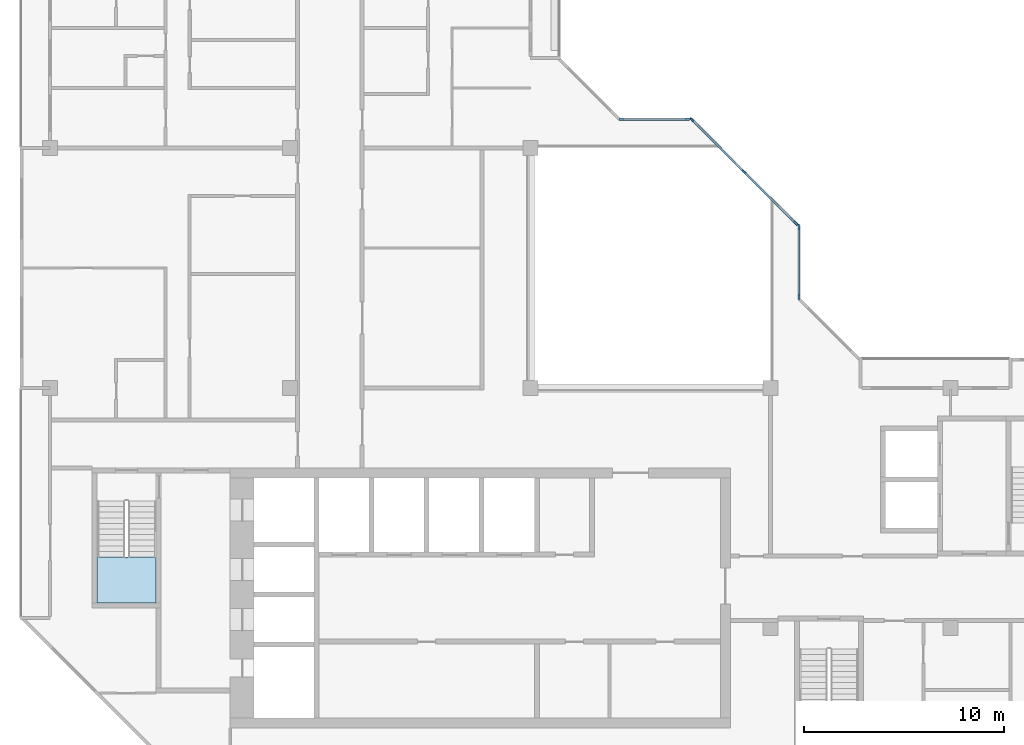
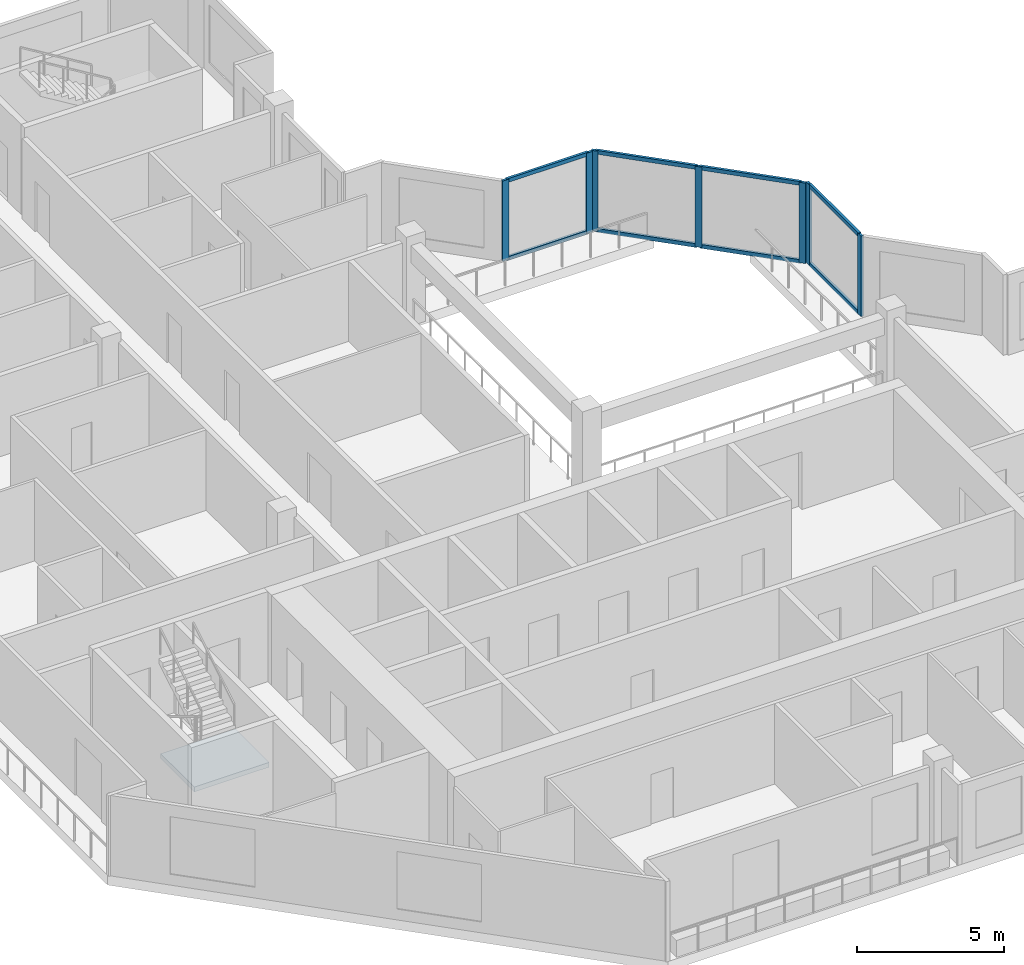
# One storey, part 2 of 12: 15 members, 1 slab, 4 elements without a shape of their own.
"""IFC4 building model written with IfcOpenShell, lengths in metres."""

from ifc_helpers import new_model, si_unit, direction, frame, origin, origin_2d, place, context, subcontext, project, spatial, polyline, rectangle, outline, extrude, material, layer, layer_set, material_profile, profile_set, type_object, element, aggregate, save


model = new_model("IFC4")

# Units and contexts
model_context = context("Model", 3, precision=1e-05, world=origin(), true_north=direction((0.0, 1.0)))
body_context = subcontext(model_context, "Body", "Model", "MODEL_VIEW")
ifc_project = project(units=[si_unit("LENGTHUNIT", "METRE"), si_unit("AREAUNIT", "SQUARE_METRE"), si_unit("VOLUMEUNIT", "CUBIC_METRE"), si_unit("PLANEANGLEUNIT", "RADIAN"), si_unit("MASSUNIT", "GRAM", prefix="KILO")], contexts=[model_context])

# Site, building, storey
site_placement = place(None, origin())
site = spatial("IfcSite", under=ifc_project, at=site_placement, CompositionType="ELEMENT")
building_placement = place(site_placement, origin())
building = spatial("IfcBuilding", under=site, at=building_placement, Name="Chenar Terraces", CompositionType="ELEMENT")
storey_placement = place(building_placement, frame((0.0, 0.0, 350.14990234375)))
storey = spatial("IfcBuildingStorey", under=building, at=storey_placement, Name="L81", CompositionType="ELEMENT", Elevation=350.14990234375)

# Curtain wall, members
ifc_material_1 = material(Name="Aluminium framed glazing", Category="aluminium")
ifc_layer_1 = layer(ifc_material_1, 0.14990234375)
ifc_layer_set_1 = layer_set([ifc_layer_1], Name="Aluminium framed glazing")
curtain_wall_type = type_object("IfcCurtainWallType", Name="Atrium upper-zone curtain wall", PredefinedType="NOTDEFINED", material=ifc_layer_set_1)
placement = place(storey_placement, origin())
curtain_wall_1 = element("IfcCurtainWall", 1, at=placement, inside=storey, type_object=curtain_wall_type, Name="Atrium upper-zone curtain wall", PredefinedType="NOTDEFINED")
ifc_material_2 = material(Name="Aluminium", Category="aluminium")
ifc_material_profile_1 = material_profile(ifc_material_2, rectangle(XDim=0.10009765625, YDim=0.239990234375, at=origin_2d()), Name="Atrium upper-zone glazing mullion 100 x 240")
ifc_profile_set_1 = profile_set([ifc_material_profile_1], Name="Aluminium")
member_type_1 = type_object("IfcMemberType", Name="Atrium upper-zone glazing mullion 100 x 240", PredefinedType="MULLION", material=ifc_profile_set_1)
member_1_placement = place(storey_placement, frame((37.425048828125, 28.550048828125, 0.0), z_axis=(0.0, 0.0, 1.0), x_axis=(-1.0, 0.0, 0.0)))
member_1 = element("IfcMember", 2, at=member_1_placement, type_object=member_type_1, Name="CW8-1 mullion 1", PredefinedType="MULLION", context=body_context, shape_type="SweptSolid", body=[
    extrude(rectangle(XDim=0.10009765625, YDim=0.239990234375, at=origin_2d()), origin(), (0.0, 0.0, 1.0), 3.35009765625),
])
member_2_placement = place(storey_placement, frame((37.425048828125, 32.050048828125, 0.0), z_axis=(0.0, 0.0, 1.0), x_axis=(-1.0, 0.0, 0.0)))
member_2 = element("IfcMember", 3, at=member_2_placement, type_object=member_type_1, Name="CW8-1 mullion 2", PredefinedType="MULLION", context=body_context, shape_type="SweptSolid", body=[
    extrude(rectangle(XDim=0.10009765625, YDim=0.239990234375, at=origin_2d()), origin(), (0.0, 0.0, 1.0), 3.35009765625),
])

curtain_wall_2 = element("IfcCurtainWall", 4, at=placement, inside=storey, type_object=curtain_wall_type, Name="Atrium upper-zone curtain wall", PredefinedType="NOTDEFINED")
member_3_placement = place(storey_placement, frame((37.270263671875, 32.2236328125, 0.0), z_axis=(0.0, 0.0, 1.0), x_axis=(-0.707106781187, -0.707106781187, 0.0)))
member_3 = element("IfcMember", 5, at=member_3_placement, type_object=member_type_1, Name="CW8-2 mullion 1", PredefinedType="MULLION", context=body_context, shape_type="SweptSolid", body=[
    extrude(rectangle(XDim=0.10009765625, YDim=0.239990234375, at=origin_2d()), origin(), (0.0, 0.0, 1.0), 3.35009765625),
])
member_4_placement = place(storey_placement, frame((34.67626953125, 34.817626953125, 0.0), z_axis=(0.0, 0.0, 1.0), x_axis=(-0.707106781187, -0.707106781187, 0.0)))
member_4 = element("IfcMember", 6, at=member_4_placement, type_object=member_type_1, Name="CW8-2 mullion 2", PredefinedType="MULLION", context=body_context, shape_type="SweptSolid", body=[
    extrude(rectangle(XDim=0.10009765625, YDim=0.239990234375, at=origin_2d()), origin(), (0.0, 0.0, 1.0), 3.35009765625),
])
member_5_placement = place(storey_placement, frame((32.082275390625, 37.41162109375, 0.0), z_axis=(0.0, 0.0, 1.0), x_axis=(-0.707106781187, -0.707106781187, 0.0)))
member_5 = element("IfcMember", 7, at=member_5_placement, type_object=member_type_1, Name="CW8-2 mullion 3", PredefinedType="MULLION", context=body_context, shape_type="SweptSolid", body=[
    extrude(rectangle(XDim=0.10009765625, YDim=0.239990234375, at=origin_2d()), origin(), (0.0, 0.0, 1.0), 3.35009765625),
])

curtain_wall_3 = element("IfcCurtainWall", 8, at=placement, inside=storey, type_object=curtain_wall_type, Name="Atrium upper-zone curtain wall", PredefinedType="NOTDEFINED")
member_6_placement = place(storey_placement, frame((31.85009765625, 37.425048828125, 0.0), z_axis=(0.0, 0.0, 1.0), x_axis=(0.0, -1.0, 0.0)))
member_6 = element("IfcMember", 9, at=member_6_placement, type_object=member_type_1, Name="CW8-3 mullion 1", PredefinedType="MULLION", context=body_context, shape_type="SweptSolid", body=[
    extrude(rectangle(XDim=0.10009765625, YDim=0.239990234375, at=origin_2d()), origin(), (0.0, 0.0, 1.0), 3.35009765625),
])
member_7_placement = place(storey_placement, frame((28.550048828125, 37.425048828125, 0.0), z_axis=(0.0, 0.0, 1.0), x_axis=(0.0, -1.0, 0.0)))
member_7 = element("IfcMember", 10, at=member_7_placement, type_object=member_type_1, Name="CW8-3 mullion 2", PredefinedType="MULLION", context=body_context, shape_type="SweptSolid", body=[
    extrude(rectangle(XDim=0.10009765625, YDim=0.239990234375, at=origin_2d()), origin(), (0.0, 0.0, 1.0), 3.35009765625),
])

# Member
ifc_material_3 = material(Name="Aluminium", Category="aluminium")
ifc_material_profile_2 = material_profile(ifc_material_3, rectangle(XDim=0.10009765625, YDim=0.159912109375, at=origin_2d()), Name="Atrium upper-zone glazing transom 100 x 160")
ifc_profile_set_2 = profile_set([ifc_material_profile_2], Name="Aluminium")
member_type_2 = type_object("IfcMemberType", Name="Atrium upper-zone glazing transom 100 x 160", PredefinedType="USERDEFINED", material=ifc_profile_set_2)
member_8_placement = place(storey_placement, frame((37.425048828125, 28.60009765625, 0.050048828125), z_axis=(0.0, 1.0, 0.0), x_axis=(-1.0, 0.0, 0.0)))
member_8 = element("IfcMember", 11, at=member_8_placement, type_object=member_type_2, Name="CW8-1 transom 1.1", ObjectType="TRANSOM", PredefinedType="USERDEFINED", context=body_context, shape_type="SweptSolid", body=[
    extrude(rectangle(XDim=0.10009765625, YDim=0.159912109375, at=origin_2d()), origin(), (0.0, 0.0, 1.0), 3.39990234375),
])

member_9_placement = place(storey_placement, frame((37.425048828125, 28.60009765625, 3.300048828125), z_axis=(0.0, 1.0, 0.0), x_axis=(-1.0, 0.0, 0.0)))
member_9 = element("IfcMember", 12, at=member_9_placement, type_object=member_type_2, Name="CW8-1 transom 1.2", ObjectType="TRANSOM", PredefinedType="USERDEFINED", context=body_context, shape_type="SweptSolid", body=[
    extrude(rectangle(XDim=0.10009765625, YDim=0.159912109375, at=origin_2d()), origin(), (0.0, 0.0, 1.0), 3.39990234375),
])

aggregate(curtain_wall_1, [member_1, member_2, member_8, member_9])

member_10_placement = place(storey_placement, frame((37.23486328125, 32.259033203125, 0.050048828125), z_axis=(-0.707106781187, 0.707106781187, 0.0), x_axis=(-0.707106781187, -0.707106781187, 0.0)))
member_10 = element("IfcMember", 13, at=member_10_placement, type_object=member_type_2, Name="CW8-2 transom 1.1", ObjectType="TRANSOM", PredefinedType="USERDEFINED", context=body_context, shape_type="SweptSolid", body=[
    extrude(rectangle(XDim=0.10009765625, YDim=0.159912109375, at=origin_2d()), origin(), (0.0, 0.0, 1.0), 3.568359375),
])

member_11_placement = place(storey_placement, frame((37.23486328125, 32.259033203125, 3.300048828125), z_axis=(-0.707106781187, 0.707106781187, 0.0), x_axis=(-0.707106781187, -0.707106781187, 0.0)))
member_11 = element("IfcMember", 14, at=member_11_placement, type_object=member_type_2, Name="CW8-2 transom 1.2", ObjectType="TRANSOM", PredefinedType="USERDEFINED", context=body_context, shape_type="SweptSolid", body=[
    extrude(rectangle(XDim=0.10009765625, YDim=0.159912109375, at=origin_2d()), origin(), (0.0, 0.0, 1.0), 3.568359375),
])

member_12_placement = place(storey_placement, frame((34.640869140625, 34.85302734375, 0.050048828125), z_axis=(-0.707106781187, 0.707106781187, 0.0), x_axis=(-0.707106781187, -0.707106781187, 0.0)))
member_12 = element("IfcMember", 15, at=member_12_placement, type_object=member_type_2, Name="CW8-2 transom 2.1", ObjectType="TRANSOM", PredefinedType="USERDEFINED", context=body_context, shape_type="SweptSolid", body=[
    extrude(rectangle(XDim=0.10009765625, YDim=0.159912109375, at=origin_2d()), origin(), (0.0, 0.0, 1.0), 3.568359375),
])

member_13_placement = place(storey_placement, frame((34.640869140625, 34.85302734375, 3.300048828125), z_axis=(-0.707106781187, 0.707106781187, 0.0), x_axis=(-0.707106781187, -0.707106781187, 0.0)))
member_13 = element("IfcMember", 16, at=member_13_placement, type_object=member_type_2, Name="CW8-2 transom 2.2", ObjectType="TRANSOM", PredefinedType="USERDEFINED", context=body_context, shape_type="SweptSolid", body=[
    extrude(rectangle(XDim=0.10009765625, YDim=0.159912109375, at=origin_2d()), origin(), (0.0, 0.0, 1.0), 3.568359375),
])

aggregate(curtain_wall_2, [member_3, member_4, member_5, member_10, member_11, member_12, member_13])

member_14_placement = place(storey_placement, frame((31.800048828125, 37.425048828125, 0.050048828125), z_axis=(-1.0, 0.0, 0.0), x_axis=(0.0, -1.0, 0.0)))
member_14 = element("IfcMember", 17, at=member_14_placement, type_object=member_type_2, Name="CW8-3 transom 1.1", ObjectType="TRANSOM", PredefinedType="USERDEFINED", context=body_context, shape_type="SweptSolid", body=[
    extrude(rectangle(XDim=0.10009765625, YDim=0.159912109375, at=origin_2d()), origin(), (0.0, 0.0, 1.0), 3.199951171875),
])

member_15_placement = place(storey_placement, frame((31.800048828125, 37.425048828125, 3.300048828125), z_axis=(-1.0, 0.0, 0.0), x_axis=(0.0, -1.0, 0.0)))
member_15 = element("IfcMember", 18, at=member_15_placement, type_object=member_type_2, Name="CW8-3 transom 1.2", ObjectType="TRANSOM", PredefinedType="USERDEFINED", context=body_context, shape_type="SweptSolid", body=[
    extrude(rectangle(XDim=0.10009765625, YDim=0.159912109375, at=origin_2d()), origin(), (0.0, 0.0, 1.0), 3.199951171875),
])

aggregate(curtain_wall_3, [member_6, member_7, member_14, member_15])

# Stair, slab
ifc_material_4 = material(Name="Reinforced concrete C40/50", Category="concrete")
stair_type = type_object("IfcStairType", Name="Core stair 1400 half-turn", PredefinedType="HALF_TURN_STAIR", material=ifc_material_4)
stair = element("IfcStair", 19, at=placement, inside=storey, type_object=stair_type, Name="L81 Stair 1", PredefinedType="HALF_TURN_STAIR")
ifc_material_5 = material(Name="Reinforced concrete C40/50", Category="concrete")
ifc_layer_2 = layer(ifc_material_5, 0.199951171875)
ifc_layer_set_2 = layer_set([ifc_layer_2], Name="Reinforced concrete C40/50")
slab_type = type_object("IfcSlabType", Name="Core stair landing 200", PredefinedType="LANDING", material=ifc_layer_set_2)
slab_placement = place(storey_placement, frame((0.0, 0.0, 1.675048828125)))
slab = element("IfcSlab", 20, at=slab_placement, type_object=slab_type, Name="ST1 landing 1", PredefinedType="LANDING", context=body_context, shape_type="SweptSolid", body=[
    extrude(outline(polyline([(2.35009765625, 15.550048828125), (2.35009765625, 13.25), (5.300048828125, 13.25), (5.300048828125, 15.550048828125), (2.35009765625, 15.550048828125)])), origin(), (0.0, 0.0, 1.0), 0.199951171875),
])
aggregate(stair, [slab])

save(model, "model.ifc")
